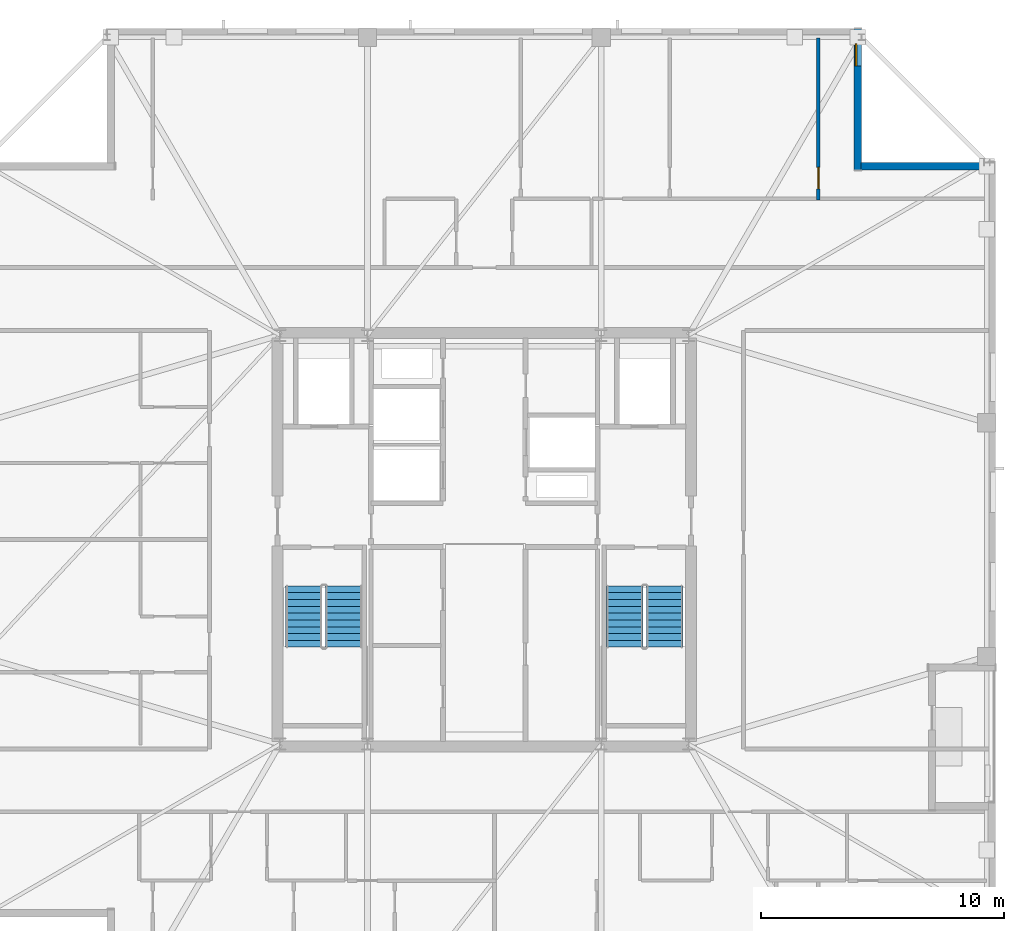
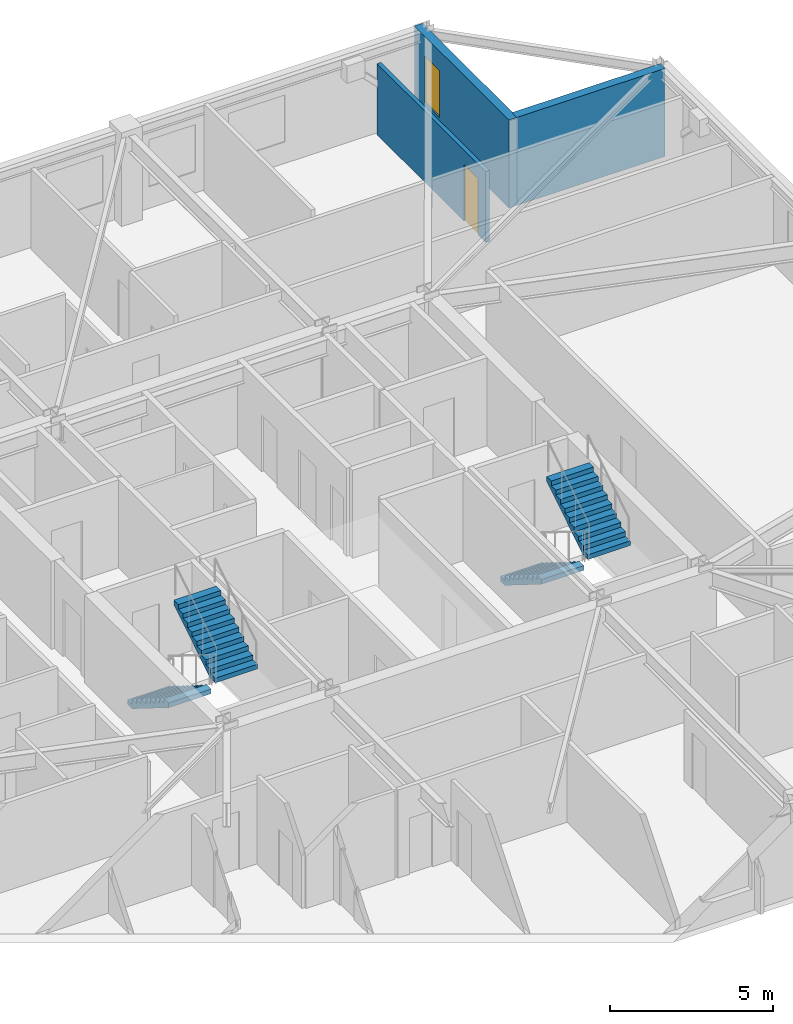
# One storey, part 11 of 15: 4 stair flights, 3 walls, 1 door, 1 window, 2 openings, 2 elements without a shape of their own.
"""IFC4 building model written with IfcOpenShell, lengths in metres."""

from ifc_helpers import new_model, si_unit, direction, frame, frame_2d, origin, place, context, subcontext, project, spatial, polyline, rectangle, outline, extrude, material, layer, layer_set, type_object, element, fill, aggregate, save


model = new_model("IFC4")

# Units and contexts
model_context = context("Model", 3, precision=1e-05, world=origin(), true_north=direction((0.0, 1.0)))
body_context = subcontext(model_context, "Body", "Model", "MODEL_VIEW")
ifc_project = project(units=[si_unit("LENGTHUNIT", "METRE"), si_unit("AREAUNIT", "SQUARE_METRE"), si_unit("VOLUMEUNIT", "CUBIC_METRE"), si_unit("PLANEANGLEUNIT", "RADIAN"), si_unit("MASSUNIT", "GRAM", prefix="KILO")], contexts=[model_context])

# Site, building, storey
site_placement = place(None, origin())
site = spatial("IfcSite", under=ifc_project, at=site_placement, CompositionType="ELEMENT")
building_placement = place(site_placement, origin())
building = spatial("IfcBuilding", under=site, at=building_placement, Name="Cairnveth Concourse Tower", CompositionType="ELEMENT")
storey_placement = place(building_placement, frame((0.0, 0.0, 298.0)))
storey = spatial("IfcBuildingStorey", under=building, at=storey_placement, Name="L82", CompositionType="ELEMENT", Elevation=298.0)

# Wall, opening, door
ifc_material_1 = material(Name="Gypsum Plasterboard Partition", Category="gypsum")
ifc_layer_1 = layer(ifc_material_1, 0.139892578125)
ifc_layer_set_1 = layer_set([ifc_layer_1], Name="Gypsum Plasterboard Partition")
wall_type_1 = type_object("IfcWallType", Name="GYPSUM STUD PARTITION 140", PredefinedType="PARTITIONING", material=ifc_layer_set_1)
wall_1_placement = place(storey_placement, frame((65.72998046875, 52.967529296875, 0.0), z_axis=(0.0, 0.0, 1.0), x_axis=(0.0, 1.0, 0.0)))
wall_1 = element("IfcWall", 1, at=wall_1_placement, inside=storey, type_object=wall_type_1, Name="Interior Wall IW-L82-070", PredefinedType="PARTITIONING", context=body_context, shape_type="SweptSolid", body=[
    extrude(rectangle(XDim=6.652587890625, YDim=0.139892578125, at=frame_2d((3.326171875, 0.0))), origin(), (0.0, 0.0, 1.0), 2.653076171875),
])
opening_1_placement = place(wall_1_placement, frame((0.449951171875, 0.0, 0.0)))
opening_1 = element("IfcOpeningElement", 2, at=opening_1_placement, cuts=wall_1, Name="Opening ID18", PredefinedType="OPENING", context=body_context, shape_type="SweptSolid", body=[
    extrude(rectangle(XDim=0.8798828125, YDim=2.10009765625, at=frame_2d((0.43994140625, 1.050048828125))), frame((0.0, 0.079833984375, 0.0), z_axis=(0.0, -1.0, 0.0), x_axis=(1.0, 0.0, 0.0)), (0.0, 0.0, 1.0), 0.159912109375),
])
ifc_material_2 = material(Name="Solid Core Hardwood Timber Leaf", Category="wood")
door_type = type_object("IfcDoorType", Name="INTERIOR SINGLE DOOR 880X2100", OperationType="NOTDEFINED", PredefinedType="DOOR", material=ifc_material_2)
door_placement = place(opening_1_placement, origin())
door = element("IfcDoor", 3, at=door_placement, inside=storey, type_object=door_type, Name="L82PN1 Bedroom 2 Door", OperationType="SINGLE_SWING_RIGHT", OverallHeight=2.10009765625, OverallWidth=0.8798828125, PredefinedType="DOOR", context=body_context, shape_type="SweptSolid", body=[
    extrude(rectangle(XDim=0.8798828125, YDim=2.10009765625, at=frame_2d((0.43994140625, 1.050048828125))), frame((0.0, 0.02490234375, 0.0), z_axis=(0.0, -1.0, 0.0), x_axis=(1.0, 0.0, 0.0)), (0.0, 0.0, 1.0), 0.050048828125),
])
fill(opening_1, door)

# Wall, opening, window
ifc_material_3 = material(Name="Hawthorn Red-Ochre Fired Clay Brick Masonry", Category="masonry")
ifc_layer_2 = layer(ifc_material_3, 0.300048828125)
ifc_layer_set_2 = layer_set([ifc_layer_2], Name="Hawthorn Red-Ochre Fired Clay Brick Masonry")
wall_type_2 = type_object("IfcWallType", Name="ZONE 4 BRICK PIER SPANDREL WALL 300", PredefinedType="SOLIDWALL", material=ifc_layer_set_2)
wall_2_placement = place(storey_placement, frame((67.35009765625, 60.0, 0.0), z_axis=(0.0, 0.0, 1.0), x_axis=(0.0, -1.0, 0.0)))
wall_2 = element("IfcWall", 4, at=wall_2_placement, inside=storey, type_object=wall_type_2, Name="Exterior Wall EW-L82-S10", PredefinedType="SOLIDWALL", context=body_context, shape_type="SweptSolid", body=[
    extrude(rectangle(XDim=5.800048828125, YDim=0.300048828125, at=frame_2d((2.89990234375, 0.0))), origin(), (0.0, 0.0, 1.0), 3.2900390625),
])
opening_2_placement = place(wall_2_placement, frame((0.6298828125, 0.0, 0.800048828125)))
opening_2 = element("IfcOpeningElement", 5, at=opening_2_placement, cuts=wall_2, Name="Opening W13", PredefinedType="OPENING", context=body_context, shape_type="SweptSolid", body=[
    extrude(rectangle(XDim=0.89990234375, YDim=1.75, at=frame_2d((0.449951171875, 0.875))), frame((0.0, 0.159912109375, 0.0), z_axis=(0.0, -1.0, 0.0), x_axis=(1.0, 0.0, 0.0)), (0.0, 0.0, 1.0), 0.320068359375),
])
ifc_material_4 = material(Name="Double Glazed Low-E Clear Glass", Category="glass")
window_type = type_object("IfcWindowType", Name="DEEP-SET BEDROOM LANCET WINDOW 900X1750", PartitioningType="DOUBLE_PANEL_VERTICAL", PredefinedType="WINDOW", material=ifc_material_4)
window_placement = place(opening_2_placement, origin())
window = element("IfcWindow", 6, at=window_placement, inside=storey, type_object=window_type, Name="Dwelling Lancet Window L82-DW4", OverallHeight=1.75, OverallWidth=0.89990234375, PartitioningType="SINGLE_PANEL", PredefinedType="WINDOW", context=body_context, shape_type="SweptSolid", body=[
    extrude(rectangle(XDim=0.89990234375, YDim=1.75, at=frame_2d((0.449951171875, 0.875))), frame((0.0, -0.0400390625, 0.0), z_axis=(0.0, -1.0, 0.0), x_axis=(1.0, 0.0, 0.0)), (0.0, 0.0, 1.0), 0.06005859375),
])
fill(opening_2, window)

# Wall
wall_3_placement = place(storey_placement, frame((67.47802734375, 54.35009765625, 0.0), z_axis=(0.0, 0.0, 1.0), x_axis=(1.0, 0.0, 0.0)))
element("IfcWall", 7, at=wall_3_placement, inside=storey, type_object=wall_type_2, Name="Exterior Wall EW-L82-S11", PredefinedType="SOLIDWALL", context=body_context, shape_type="SweptSolid", body=[
    extrude(rectangle(XDim=5.243896484375, YDim=0.300048828125, at=frame_2d((2.6220703125, 0.0))), origin(), (0.0, 0.0, 1.0), 3.2900390625),
])

# Stair, stair flights
ifc_material_5 = material(Name="Precast concrete N50 (50 MPa)", Category="concrete")
stair_type = type_object("IfcStairType", Name="CORE DOG-LEG FIRE STAIR 1500", PredefinedType="HALF_TURN_STAIR", material=ifc_material_5)
stair_1_placement = place(storey_placement, origin())
stair_1 = element("IfcStair", 8, at=stair_1_placement, inside=storey, type_object=stair_type, Name="L82 Fire-Isolated Stair ST-1", PredefinedType="HALF_TURN_STAIR")
stair_flight_type = type_object("IfcStairFlightType", Name="PRECAST CONCRETE STAIR FLIGHT 1500", PredefinedType="STRAIGHT", material=ifc_material_5)
stair_flight_1_placement = place(storey_placement, frame((44.590087890625, 37.10009765625, 0.0), z_axis=(0.0, 0.0, 1.0), x_axis=(0.0, -1.0, 0.0)))
stair_flight_1 = element("IfcStairFlight", 9, at=stair_flight_1_placement, type_object=stair_flight_type, Name="ST-1 flight 1", NumberOfRisers=10, NumberOfTreads=9, PredefinedType="STRAIGHT", RiserHeight=0.175, TreadLength=0.28, context=body_context, shape_type="SweptSolid", body=[
    extrude(outline(polyline([(0.0, 0.0), (0.0, 0.175048828125), (0.280029296875, 0.175048828125), (0.280029296875, 0.35009765625), (0.56005859375, 0.35009765625), (0.56005859375, 0.52490234375), (0.840087890625, 0.52490234375), (0.840087890625, 0.699951171875), (1.1201171875, 0.699951171875), (1.1201171875, 0.875), (1.39990234375, 0.875), (1.39990234375, 1.050048828125), (1.679931640625, 1.050048828125), (1.679931640625, 1.22509765625), (1.9599609375, 1.22509765625), (1.9599609375, 1.39990234375), (2.239990234375, 1.39990234375), (2.239990234375, 1.574951171875), (2.52001953125, 1.574951171875), (2.52001953125, 1.75), (2.52001953125, 1.398193359375), (0.28271484375, 0.0), (0.0, 0.0)])), frame((0.0, 0.75, 0.0), z_axis=(0.0, -1.0, 0.0), x_axis=(1.0, 0.0, 0.0)), (0.0, 0.0, 1.0), 1.5),
])
stair_flight_2_placement = place(storey_placement, frame((46.22998046875, 34.580078125, 1.75), z_axis=(0.0, 0.0, 1.0), x_axis=(0.0, 1.0, 0.0)))
stair_flight_2 = element("IfcStairFlight", 10, at=stair_flight_2_placement, type_object=stair_flight_type, Name="ST-1 flight 2", NumberOfRisers=10, NumberOfTreads=9, PredefinedType="STRAIGHT", RiserHeight=0.175, TreadLength=0.28, context=body_context, shape_type="SweptSolid", body=[
    extrude(outline(polyline([(0.0, 0.0), (0.0, 0.175048828125), (0.280029296875, 0.175048828125), (0.280029296875, 0.35009765625), (0.56005859375, 0.35009765625), (0.56005859375, 0.52490234375), (0.840087890625, 0.52490234375), (0.840087890625, 0.699951171875), (1.1201171875, 0.699951171875), (1.1201171875, 0.875), (1.39990234375, 0.875), (1.39990234375, 1.050048828125), (1.679931640625, 1.050048828125), (1.679931640625, 1.22509765625), (1.9599609375, 1.22509765625), (1.9599609375, 1.39990234375), (2.239990234375, 1.39990234375), (2.239990234375, 1.574951171875), (2.52001953125, 1.574951171875), (2.52001953125, 1.75), (2.52001953125, 1.398193359375), (0.28271484375, 0.0), (0.0, 0.0)])), frame((0.0, 0.75, 0.0), z_axis=(0.0, -1.0, 0.0), x_axis=(1.0, 0.0, 0.0)), (0.0, 0.0, 1.0), 1.5),
])
aggregate(stair_1, [stair_flight_1, stair_flight_2])

stair_2_placement = place(storey_placement, origin())
stair_2 = element("IfcStair", 11, at=stair_2_placement, inside=storey, type_object=stair_type, Name="L82 Fire-Isolated Stair ST-2", PredefinedType="HALF_TURN_STAIR")
stair_flight_3_placement = place(storey_placement, frame((57.77001953125, 37.10009765625, 0.0), z_axis=(0.0, 0.0, 1.0), x_axis=(0.0, -1.0, 0.0)))
stair_flight_3 = element("IfcStairFlight", 12, at=stair_flight_3_placement, type_object=stair_flight_type, Name="ST-2 flight 1", NumberOfRisers=10, NumberOfTreads=9, PredefinedType="STRAIGHT", RiserHeight=0.175, TreadLength=0.28, context=body_context, shape_type="SweptSolid", body=[
    extrude(outline(polyline([(0.0, 0.0), (0.0, 0.175048828125), (0.280029296875, 0.175048828125), (0.280029296875, 0.35009765625), (0.56005859375, 0.35009765625), (0.56005859375, 0.52490234375), (0.840087890625, 0.52490234375), (0.840087890625, 0.699951171875), (1.1201171875, 0.699951171875), (1.1201171875, 0.875), (1.39990234375, 0.875), (1.39990234375, 1.050048828125), (1.679931640625, 1.050048828125), (1.679931640625, 1.22509765625), (1.9599609375, 1.22509765625), (1.9599609375, 1.39990234375), (2.239990234375, 1.39990234375), (2.239990234375, 1.574951171875), (2.52001953125, 1.574951171875), (2.52001953125, 1.75), (2.52001953125, 1.398193359375), (0.28271484375, 0.0), (0.0, 0.0)])), frame((0.0, 0.75, 0.0), z_axis=(0.0, -1.0, 0.0), x_axis=(1.0, 0.0, 0.0)), (0.0, 0.0, 1.0), 1.5),
])
stair_flight_4_placement = place(storey_placement, frame((59.409912109375, 34.580078125, 1.75), z_axis=(0.0, 0.0, 1.0), x_axis=(0.0, 1.0, 0.0)))
stair_flight_4 = element("IfcStairFlight", 13, at=stair_flight_4_placement, type_object=stair_flight_type, Name="ST-2 flight 2", NumberOfRisers=10, NumberOfTreads=9, PredefinedType="STRAIGHT", RiserHeight=0.175, TreadLength=0.28, context=body_context, shape_type="SweptSolid", body=[
    extrude(outline(polyline([(0.0, 0.0), (0.0, 0.175048828125), (0.280029296875, 0.175048828125), (0.280029296875, 0.35009765625), (0.56005859375, 0.35009765625), (0.56005859375, 0.52490234375), (0.840087890625, 0.52490234375), (0.840087890625, 0.699951171875), (1.1201171875, 0.699951171875), (1.1201171875, 0.875), (1.39990234375, 0.875), (1.39990234375, 1.050048828125), (1.679931640625, 1.050048828125), (1.679931640625, 1.22509765625), (1.9599609375, 1.22509765625), (1.9599609375, 1.39990234375), (2.239990234375, 1.39990234375), (2.239990234375, 1.574951171875), (2.52001953125, 1.574951171875), (2.52001953125, 1.75), (2.52001953125, 1.398193359375), (0.28271484375, 0.0), (0.0, 0.0)])), frame((0.0, 0.75, 0.0), z_axis=(0.0, -1.0, 0.0), x_axis=(1.0, 0.0, 0.0)), (0.0, 0.0, 1.0), 1.5),
])
aggregate(stair_2, [stair_flight_3, stair_flight_4])

save(model, "model.ifc")
